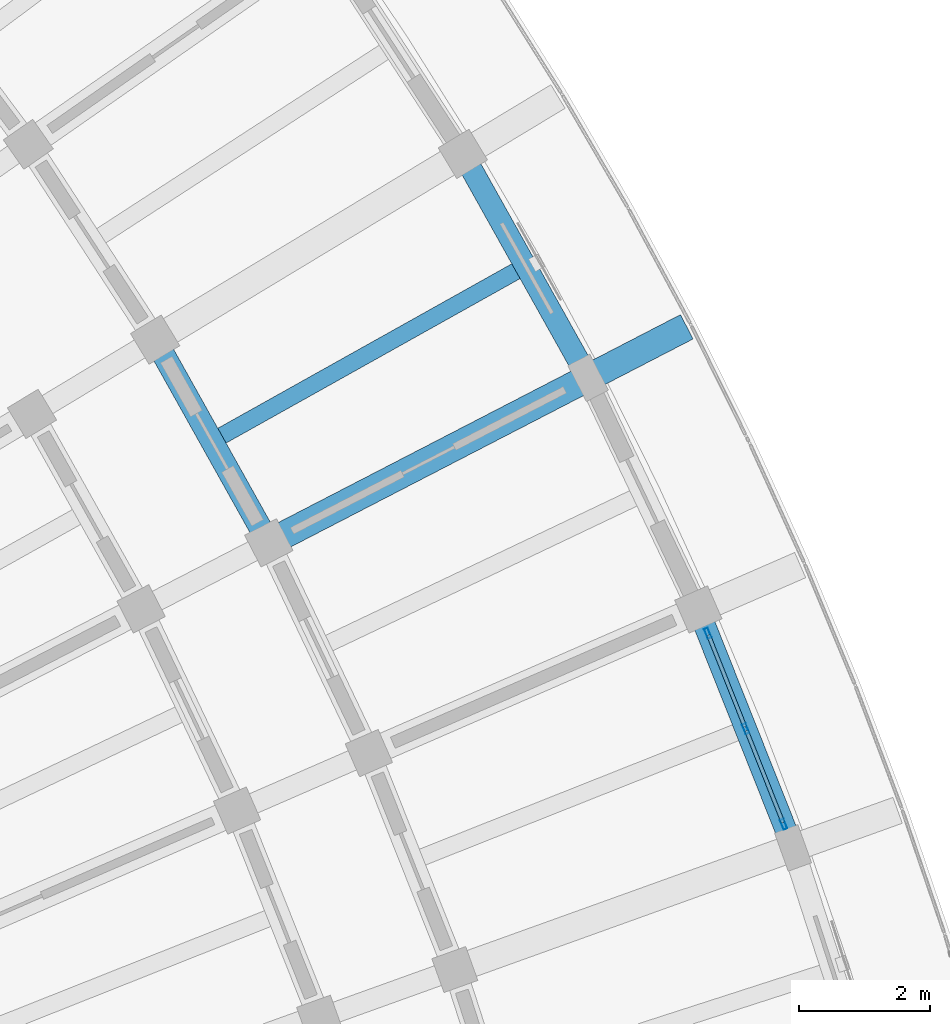
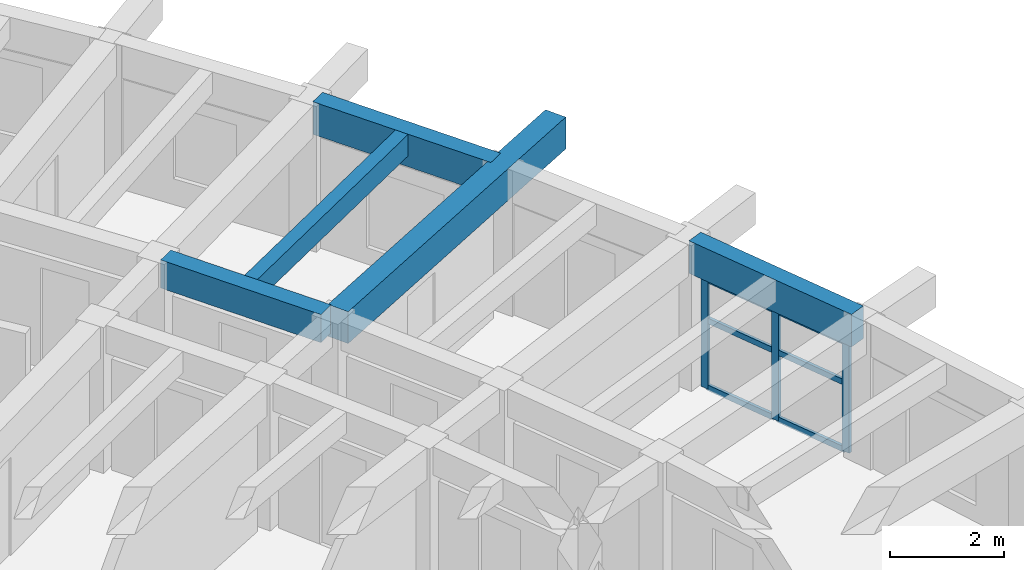
# One storey, part 27 of 81: 9 members, 5 beams, 1 element without a shape of its own.
"""IFC4 building model written with IfcOpenShell, lengths in metres."""

from ifc_helpers import new_model, si_unit, direction, frame, origin, origin_2d, place, context, subcontext, project, spatial, rectangle, hollow_rectangle, extrude, material, material_profile, profile_set, type_object, element, aggregate, save


model = new_model("IFC4")

# Units and contexts
model_context = context("Model", 3, precision=1e-05, world=origin(), true_north=direction((0.0, 1.0)))
body_context = subcontext(model_context, "Body", "Model", "MODEL_VIEW")
ifc_project = project(units=[si_unit("LENGTHUNIT", "METRE"), si_unit("AREAUNIT", "SQUARE_METRE"), si_unit("VOLUMEUNIT", "CUBIC_METRE"), si_unit("PLANEANGLEUNIT", "RADIAN"), si_unit("MASSUNIT", "GRAM", prefix="KILO")], contexts=[model_context])

# Site, building, storey
site_placement = place(None, origin())
site = spatial("IfcSite", under=ifc_project, at=site_placement, CompositionType="ELEMENT")
building_placement = place(site_placement, origin())
building = spatial("IfcBuilding", under=site, at=building_placement, Name="Tanwirah Colonnade Gardens", CompositionType="ELEMENT")
storey_placement = place(building_placement, frame((0.0, 0.0, 18.919921875)))
storey = spatial("IfcBuildingStorey", under=building, at=storey_placement, Name="L05", CompositionType="ELEMENT", Elevation=18.919921875)

# Beams
ifc_material_1 = material(Name="Precast concrete C40/50", Category="concrete")
ifc_material_profile_1 = material_profile(ifc_material_1, rectangle(XDim=0.35009765625, YDim=0.60009765625, at=origin_2d()), Name="PC-BM 350x600")
ifc_profile_set_1 = profile_set([ifc_material_profile_1], Name="Precast concrete C40/50")
beam_type_1 = type_object("IfcBeamType", Name="BM-PC350B", PredefinedType="BEAM", material=ifc_profile_set_1)
beam_1_placement = place(storey_placement, frame((168.942138671875, 85.14892578125, 2.81005859375), z_axis=(-0.488213717102, 0.87272410671, 0.0), x_axis=(-0.87272410671, -0.488213717102, 0.0)))
element("IfcBeam", 1, at=beam_1_placement, inside=storey, type_object=beam_type_1, Name="Block B L05 Circumferential Beam 3-R2", PredefinedType="BEAM", context=body_context, shape_type="SweptSolid", body=[
    extrude(rectangle(XDim=0.35009765625, YDim=0.60009765625, at=origin_2d()), origin(), (0.0, 0.0, 1.0), 3.262939453125),
])
ifc_material_2 = material(Name="Precast concrete C45/55", Category="concrete")
ifc_material_profile_2 = material_profile(ifc_material_2, rectangle(XDim=0.419921875, YDim=0.679931640625, at=origin_2d()), Name="PC-BM 420x680")
ifc_profile_set_2 = profile_set([ifc_material_profile_2], Name="Precast concrete C45/55")
beam_type_2 = type_object("IfcBeamType", Name="BM-PC420", PredefinedType="BEAM", material=ifc_profile_set_2)
beam_2_placement = place(storey_placement, frame((169.148681640625, 85.0869140625, 2.77001953125), z_axis=(0.888348690665, 0.459169471758, 0.0), x_axis=(-0.459169471758, 0.888348690665, 0.0)))
element("IfcBeam", 2, at=beam_2_placement, inside=storey, type_object=beam_type_2, Name="Block B L05 Outer Radial Precast Girder 3", PredefinedType="BEAM", context=body_context, shape_type="SweptSolid", body=[
    extrude(rectangle(XDim=0.419921875, YDim=0.679931640625, at=origin_2d()), origin(), (0.0, 0.0, 1.0), 7.0498046875),
])

# Curtain wall, members
ifc_material_3 = material(Name="Bronze-anodised aluminium and solar-control low-E glass", Category="aluminium")
curtain_wall_type = type_object("IfcCurtainWallType", Name="CW-LOB", PredefinedType="NOTDEFINED", material=ifc_material_3)
curtain_wall_placement = place(storey_placement, origin())
curtain_wall = element("IfcCurtainWall", 3, at=curtain_wall_placement, inside=storey, type_object=curtain_wall_type, Name="Curtain Wall CW-B-L05-OUT-01", PredefinedType="NOTDEFINED")
ifc_material_4 = material(Name="Bronze-anodised aluminium", Category="aluminium")
ifc_material_profile_3 = material_profile(ifc_material_4, hollow_rectangle(XDim=0.06005859375, YDim=0.159912109375, WallThickness=0.00390625, at=origin_2d()), Name="CW-MUL 60x160x4")
ifc_profile_set_3 = profile_set([ifc_material_profile_3], Name="Bronze-anodised aluminium")
member_type_1 = type_object("IfcMemberType", Name="CWM-60x160", PredefinedType="MULLION", material=ifc_profile_set_3)
member_1_placement = place(storey_placement, frame((176.893310546875, 80.712646484375, 0.0), z_axis=(0.0, 0.0, 1.0), x_axis=(-0.929347570099, -0.369206031847, 0.0)))
member_1 = element("IfcMember", 4, at=member_1_placement, type_object=member_type_1, Name="CW-LOB mullion 1", PredefinedType="MULLION", context=body_context, shape_type="SweptSolid", body=[
    extrude(hollow_rectangle(XDim=0.06005859375, YDim=0.159912109375, WallThickness=0.00390625, at=origin_2d()), origin(), (0.0, 0.0, 1.0), 2.35498046875),
])
member_2_placement = place(storey_placement, frame((176.3125, 82.17431640625, 0.0), z_axis=(0.0, 0.0, 1.0), x_axis=(-0.929347570099, -0.369206031847, 0.0)))
member_2 = element("IfcMember", 5, at=member_2_placement, type_object=member_type_1, Name="CW-LOB mullion 2", PredefinedType="MULLION", context=body_context, shape_type="SweptSolid", body=[
    extrude(hollow_rectangle(XDim=0.06005859375, YDim=0.159912109375, WallThickness=0.00390625, at=origin_2d()), origin(), (0.0, 0.0, 1.0), 2.35498046875),
])
member_3_placement = place(storey_placement, frame((175.73193359375, 83.635986328125, 0.0), z_axis=(0.0, 0.0, 1.0), x_axis=(-0.929347570099, -0.369206031847, 0.0)))
member_3 = element("IfcMember", 6, at=member_3_placement, type_object=member_type_1, Name="CW-LOB mullion 3", PredefinedType="MULLION", context=body_context, shape_type="SweptSolid", body=[
    extrude(hollow_rectangle(XDim=0.06005859375, YDim=0.159912109375, WallThickness=0.00390625, at=origin_2d()), origin(), (0.0, 0.0, 1.0), 2.35498046875),
])
ifc_material_profile_4 = material_profile(ifc_material_4, hollow_rectangle(XDim=0.06005859375, YDim=0.1201171875, WallThickness=0.00390625, at=origin_2d()), Name="CW-TRN 60x120x4")
ifc_profile_set_4 = profile_set([ifc_material_profile_4], Name="Bronze-anodised aluminium")
member_type_2 = type_object("IfcMemberType", Name="CWT-60x120", PredefinedType="USERDEFINED", material=ifc_profile_set_4)
member_4_placement = place(storey_placement, frame((176.882080078125, 80.740478515625, 0.030029296875), z_axis=(-0.36908009877, 0.929397590212, 0.0), x_axis=(-0.929397590212, -0.36908009877, 0.0)))
member_4 = element("IfcMember", 7, at=member_4_placement, type_object=member_type_2, Name="CW-LOB transom 1.1", ObjectType="TRANSOM", PredefinedType="USERDEFINED", context=body_context, shape_type="SweptSolid", body=[
    extrude(hollow_rectangle(XDim=0.06005859375, YDim=0.1201171875, WallThickness=0.00390625, at=origin_2d()), origin(), (0.0, 0.0, 1.0), 1.5126953125),
])
member_5_placement = place(storey_placement, frame((176.882080078125, 80.740478515625, 1.460205078125), z_axis=(-0.36908009877, 0.929397590212, 0.0), x_axis=(-0.929397590212, -0.36908009877, 0.0)))
member_5 = element("IfcMember", 8, at=member_5_placement, type_object=member_type_2, Name="CW-LOB transom 1.2", ObjectType="TRANSOM", PredefinedType="USERDEFINED", context=body_context, shape_type="SweptSolid", body=[
    extrude(hollow_rectangle(XDim=0.06005859375, YDim=0.1201171875, WallThickness=0.00390625, at=origin_2d()), origin(), (0.0, 0.0, 1.0), 1.5126953125),
])
member_6_placement = place(storey_placement, frame((176.882080078125, 80.740478515625, 2.3251953125), z_axis=(-0.36908009877, 0.929397590212, 0.0), x_axis=(-0.929397590212, -0.36908009877, 0.0)))
member_6 = element("IfcMember", 9, at=member_6_placement, type_object=member_type_2, Name="CW-LOB transom 1.3", ObjectType="TRANSOM", PredefinedType="USERDEFINED", context=body_context, shape_type="SweptSolid", body=[
    extrude(hollow_rectangle(XDim=0.06005859375, YDim=0.1201171875, WallThickness=0.00390625, at=origin_2d()), origin(), (0.0, 0.0, 1.0), 1.5126953125),
])
member_7_placement = place(storey_placement, frame((176.301513671875, 82.2021484375, 0.030029296875), z_axis=(-0.369219484637, 0.929342225536, 0.0), x_axis=(-0.929342225536, -0.369219484637, 0.0)))
member_7 = element("IfcMember", 10, at=member_7_placement, type_object=member_type_2, Name="CW-LOB transom 2.1", ObjectType="TRANSOM", PredefinedType="USERDEFINED", context=body_context, shape_type="SweptSolid", body=[
    extrude(hollow_rectangle(XDim=0.06005859375, YDim=0.1201171875, WallThickness=0.00390625, at=origin_2d()), origin(), (0.0, 0.0, 1.0), 1.512939453125),
])
member_8_placement = place(storey_placement, frame((176.301513671875, 82.2021484375, 1.460205078125), z_axis=(-0.369219484637, 0.929342225536, 0.0), x_axis=(-0.929342225536, -0.369219484637, 0.0)))
member_8 = element("IfcMember", 11, at=member_8_placement, type_object=member_type_2, Name="CW-LOB transom 2.2", ObjectType="TRANSOM", PredefinedType="USERDEFINED", context=body_context, shape_type="SweptSolid", body=[
    extrude(hollow_rectangle(XDim=0.06005859375, YDim=0.1201171875, WallThickness=0.00390625, at=origin_2d()), origin(), (0.0, 0.0, 1.0), 1.512939453125),
])
member_9_placement = place(storey_placement, frame((176.301513671875, 82.2021484375, 2.3251953125), z_axis=(-0.369219484637, 0.929342225536, 0.0), x_axis=(-0.929342225536, -0.369219484637, 0.0)))
member_9 = element("IfcMember", 12, at=member_9_placement, type_object=member_type_2, Name="CW-LOB transom 2.3", ObjectType="TRANSOM", PredefinedType="USERDEFINED", context=body_context, shape_type="SweptSolid", body=[
    extrude(hollow_rectangle(XDim=0.06005859375, YDim=0.1201171875, WallThickness=0.00390625, at=origin_2d()), origin(), (0.0, 0.0, 1.0), 1.512939453125),
])
aggregate(curtain_wall, [member_1, member_2, member_3, member_4, member_5, member_6, member_7, member_8, member_9])

# Beams
ifc_material_profile_5 = material_profile(ifc_material_1, rectangle(XDim=0.260009765625, YDim=0.4599609375, at=origin_2d()), Name="PC-JST 260x460")
ifc_profile_set_5 = profile_set([ifc_material_profile_5], Name="Precast concrete C40/50")
beam_type_3 = type_object("IfcBeamType", Name="JST-PC260", PredefinedType="JOIST", material=ifc_profile_set_5)
beam_3_placement = place(storey_placement, frame((168.27587890625, 86.645751953125, 2.880126953125), z_axis=(0.872737031138, 0.488190612855, 0.0), x_axis=(-0.488190612855, 0.872737031138, 0.0)))
element("IfcBeam", 13, at=beam_3_placement, inside=storey, type_object=beam_type_3, Name="Block B L05 Precast Floor Joist 3", PredefinedType="JOIST", context=body_context, shape_type="SweptSolid", body=[
    extrude(rectangle(XDim=0.260009765625, YDim=0.4599609375, at=origin_2d()), origin(), (0.0, 0.0, 1.0), 5.260009765625),
])
ifc_material_profile_6 = material_profile(ifc_material_1, rectangle(XDim=0.3349609375, YDim=0.695068359375, at=origin_2d()), Name="PC-SP 335x695")
ifc_profile_set_6 = profile_set([ifc_material_profile_6], Name="Precast concrete C40/50")
beam_type_4 = type_object("IfcBeamType", Name="SP-PC300", PredefinedType="SPANDREL", material=ifc_profile_set_6)
for number, where, z_axis, x_axis, name in (
    (14, (176.98193359375, 80.489501953125, 2.7626953125), (-0.369195460985, 0.929351769562, 0.0), (-0.929351769562, -0.369195460985, 0.0), "Block B L05 Circumferential Beam 1-R3"),
    (15, (173.828125, 87.67431640625, 2.7626953125), (-0.488236312193, 0.872711466326, 0.0), (-0.872711466326, -0.488236312193, 0.0), "Block B L05 Circumferential Beam 3-R3"),
):
    element("IfcBeam", number, at=place(storey_placement, frame(where, z_axis=z_axis, x_axis=x_axis)), inside=storey, type_object=beam_type_4, Name=name, PredefinedType="SPANDREL", context=body_context, shape_type="SweptSolid", body=[
        extrude(rectangle(XDim=0.3349609375, YDim=0.695068359375, at=origin_2d()), origin(), (0.0, 0.0, 1.0), 3.625732421875),
    ])

save(model, "model.ifc")
